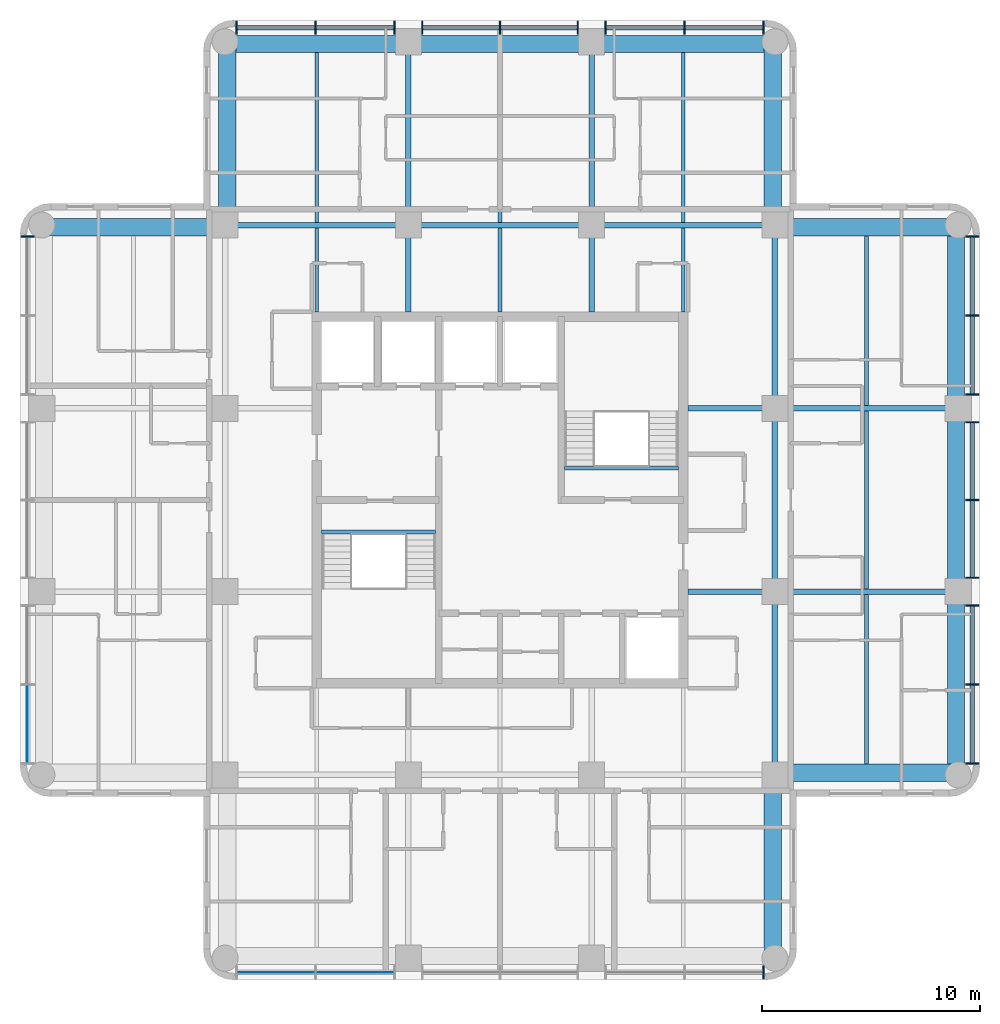
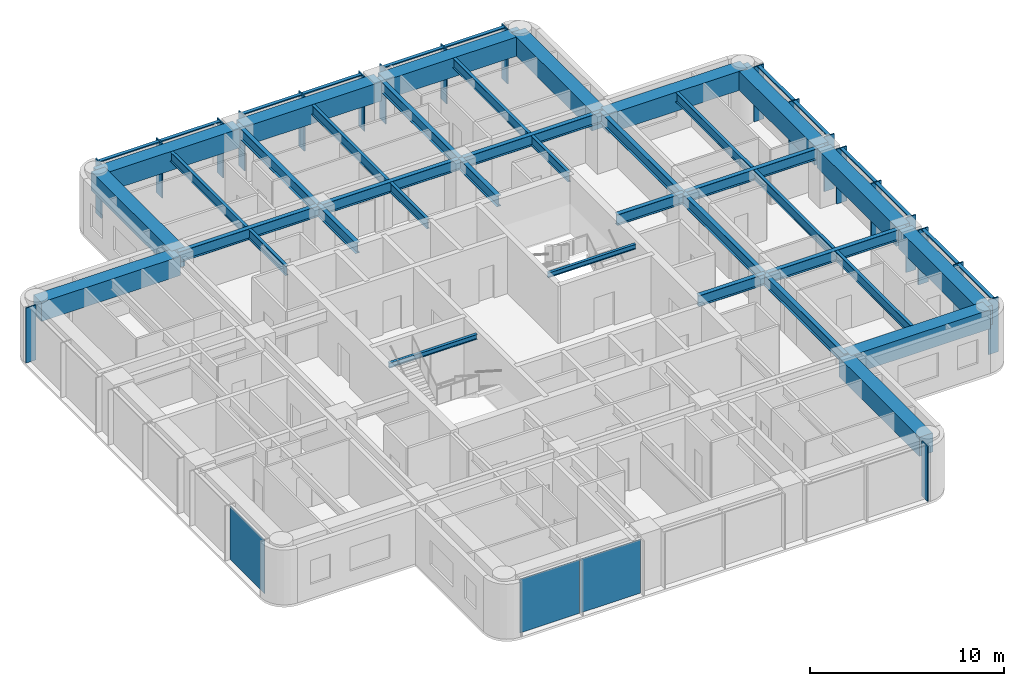
# One storey, part 2 of 10: 37 beams, 32 members, 3 plates, 4 elements without a shape of their own.
"""IFC4 building model written with IfcOpenShell, lengths in metres."""

from ifc_helpers import new_model, si_unit, direction, frame, origin, origin_2d, place, context, subcontext, project, spatial, rectangle, i_section, extrude, material, layer, layer_set, material_profile, profile_set, type_object, element, aggregate, save


model = new_model("IFC4")

# Units and contexts
model_context = context("Model", 3, precision=1e-05, world=origin(), true_north=direction((0.0, 1.0)))
body_context = subcontext(model_context, "Body", "Model", "MODEL_VIEW")
ifc_project = project(units=[si_unit("LENGTHUNIT", "METRE"), si_unit("AREAUNIT", "SQUARE_METRE"), si_unit("VOLUMEUNIT", "CUBIC_METRE"), si_unit("PLANEANGLEUNIT", "RADIAN"), si_unit("MASSUNIT", "GRAM", prefix="KILO")], contexts=[model_context])

# Site, building, storey
site_placement = place(None, origin())
site = spatial("IfcSite", under=ifc_project, at=site_placement, CompositionType="ELEMENT")
building_placement = place(site_placement, origin())
building = spatial("IfcBuilding", under=site, at=building_placement, Name="Torre Alcanfor", CompositionType="ELEMENT")
storey_placement = place(building_placement, frame((0.0, 0.0, 282.89990234375)))
storey = spatial("IfcBuildingStorey", under=building, at=storey_placement, Name="L74", CompositionType="ELEMENT", Elevation=282.89990234375)

# Curtain wall, member
ifc_material_1 = material(Name="Aluminium and glass", Category="aluminium")
curtain_wall_type = type_object("IfcCurtainWallType", Name="CW-A unitised apartment glazing with vertical FIN", PredefinedType="NOTDEFINED", material=ifc_material_1)
curtain_wall_1_placement = place(storey_placement, origin())
curtain_wall_1 = element("IfcCurtainWall", 1, at=curtain_wall_1_placement, inside=storey, type_object=curtain_wall_type, Name="Curtain wall CW-A L74 2", PredefinedType="NOTDEFINED")
ifc_material_2 = material(Name="Bronze anodised aluminium", Category="aluminium")
ifc_material_profile_1 = material_profile(ifc_material_2, rectangle(XDim=0.60009765625, YDim=0.06494140625, at=origin_2d()), Name="CW-A mullion 65x600")
ifc_profile_set_1 = profile_set([ifc_material_profile_1], Name="Bronze anodised aluminium")
member_type_1 = type_object("IfcMemberType", Name="CW-A mullion with vertical FIN 65x600", PredefinedType="MULLION", material=ifc_profile_set_1)
member_1_placement = place(storey_placement, frame((7.75, 41.47412109375, 0.0), z_axis=(0.0, 0.0, 1.0), x_axis=(1.0, 0.0, 0.0)))
member_1 = element("IfcMember", 2, at=member_1_placement, type_object=member_type_1, Name="CW-A mullion 1.1", PredefinedType="MULLION", context=body_context, shape_type="SweptSolid", body=[
    extrude(rectangle(XDim=0.60009765625, YDim=0.06494140625, at=origin_2d()), origin(), (0.0, 0.0, 1.0), 3.4501953125),
])

curtain_wall_2_placement = place(storey_placement, origin())
curtain_wall_2 = element("IfcCurtainWall", 3, at=curtain_wall_2_placement, inside=storey, type_object=curtain_wall_type, Name="Curtain wall CW-A L74 5", PredefinedType="NOTDEFINED")
member_2_placement = place(storey_placement, frame((41.47412109375, 7.75, 0.0), z_axis=(0.0, 0.0, 1.0), x_axis=(0.0, 1.0, 0.0)))
member_2 = element("IfcMember", 4, at=member_2_placement, type_object=member_type_1, Name="CW-A mullion 3.3", PredefinedType="MULLION", context=body_context, shape_type="SweptSolid", body=[
    extrude(rectangle(XDim=0.60009765625, YDim=0.06494140625, at=origin_2d()), origin(), (0.0, 0.0, 1.0), 3.4501953125),
])

# Curtain wall, members
curtain_wall_3_placement = place(storey_placement, origin())
curtain_wall_3 = element("IfcCurtainWall", 5, at=curtain_wall_3_placement, inside=storey, type_object=curtain_wall_type, Name="Curtain wall CW-A L74 8", PredefinedType="NOTDEFINED")
member_3_placement = place(storey_placement, frame((51.050048828125, 17.325927734375, 0.0), z_axis=(0.0, 0.0, 1.0), x_axis=(-1.0, 0.0, 0.0)))
member_3 = element("IfcMember", 6, at=member_3_placement, type_object=member_type_1, Name="CW-A mullion 1.1", PredefinedType="MULLION", context=body_context, shape_type="SweptSolid", body=[
    extrude(rectangle(XDim=0.60009765625, YDim=0.06494140625, at=origin_2d()), origin(), (0.0, 0.0, 1.0), 3.4501953125),
])
member_4_placement = place(storey_placement, frame((51.050048828125, 20.9443359375, 0.0), z_axis=(0.0, 0.0, 1.0), x_axis=(-1.0, 0.0, 0.0)))
member_4 = element("IfcMember", 7, at=member_4_placement, type_object=member_type_1, Name="CW-A mullion 1.2", PredefinedType="MULLION", context=body_context, shape_type="SweptSolid", body=[
    extrude(rectangle(XDim=0.60009765625, YDim=0.06494140625, at=origin_2d()), origin(), (0.0, 0.0, 1.0), 3.4501953125),
])
member_5_placement = place(storey_placement, frame((51.050048828125, 24.5625, 0.0), z_axis=(0.0, 0.0, 1.0), x_axis=(-1.0, 0.0, 0.0)))
member_5 = element("IfcMember", 8, at=member_5_placement, type_object=member_type_1, Name="CW-A mullion 1.3", PredefinedType="MULLION", context=body_context, shape_type="SweptSolid", body=[
    extrude(rectangle(XDim=0.60009765625, YDim=0.06494140625, at=origin_2d()), origin(), (0.0, 0.0, 1.0), 3.4501953125),
])
member_6_placement = place(storey_placement, frame((51.050048828125, 25.83740234375, 0.0), z_axis=(0.0, 0.0, 1.0), x_axis=(-1.0, 0.0, 0.0)))
member_6 = element("IfcMember", 9, at=member_6_placement, type_object=member_type_1, Name="CW-A mullion 2.1", PredefinedType="MULLION", context=body_context, shape_type="SweptSolid", body=[
    extrude(rectangle(XDim=0.60009765625, YDim=0.06494140625, at=origin_2d()), origin(), (0.0, 0.0, 1.0), 3.4501953125),
])
member_7_placement = place(storey_placement, frame((51.050048828125, 29.39990234375, 0.0), z_axis=(0.0, 0.0, 1.0), x_axis=(-1.0, 0.0, 0.0)))
member_7 = element("IfcMember", 10, at=member_7_placement, type_object=member_type_1, Name="CW-A mullion 2.2", PredefinedType="MULLION", context=body_context, shape_type="SweptSolid", body=[
    extrude(rectangle(XDim=0.60009765625, YDim=0.06494140625, at=origin_2d()), origin(), (0.0, 0.0, 1.0), 3.4501953125),
])
member_8_placement = place(storey_placement, frame((51.050048828125, 32.96240234375, 0.0), z_axis=(0.0, 0.0, 1.0), x_axis=(-1.0, 0.0, 0.0)))
member_8 = element("IfcMember", 11, at=member_8_placement, type_object=member_type_1, Name="CW-A mullion 2.3", PredefinedType="MULLION", context=body_context, shape_type="SweptSolid", body=[
    extrude(rectangle(XDim=0.60009765625, YDim=0.06494140625, at=origin_2d()), origin(), (0.0, 0.0, 1.0), 3.4501953125),
])
member_9_placement = place(storey_placement, frame((51.050048828125, 34.237548828125, 0.0), z_axis=(0.0, 0.0, 1.0), x_axis=(-1.0, 0.0, 0.0)))
member_9 = element("IfcMember", 12, at=member_9_placement, type_object=member_type_1, Name="CW-A mullion 3.1", PredefinedType="MULLION", context=body_context, shape_type="SweptSolid", body=[
    extrude(rectangle(XDim=0.60009765625, YDim=0.06494140625, at=origin_2d()), origin(), (0.0, 0.0, 1.0), 3.4501953125),
])
member_10_placement = place(storey_placement, frame((51.050048828125, 37.855712890625, 0.0), z_axis=(0.0, 0.0, 1.0), x_axis=(-1.0, 0.0, 0.0)))
member_10 = element("IfcMember", 13, at=member_10_placement, type_object=member_type_1, Name="CW-A mullion 3.2", PredefinedType="MULLION", context=body_context, shape_type="SweptSolid", body=[
    extrude(rectangle(XDim=0.60009765625, YDim=0.06494140625, at=origin_2d()), origin(), (0.0, 0.0, 1.0), 3.4501953125),
])
member_11_placement = place(storey_placement, frame((51.050048828125, 41.47412109375, 0.0), z_axis=(0.0, 0.0, 1.0), x_axis=(-1.0, 0.0, 0.0)))
member_11 = element("IfcMember", 14, at=member_11_placement, type_object=member_type_1, Name="CW-A mullion 3.3", PredefinedType="MULLION", context=body_context, shape_type="SweptSolid", body=[
    extrude(rectangle(XDim=0.60009765625, YDim=0.06494140625, at=origin_2d()), origin(), (0.0, 0.0, 1.0), 3.4501953125),
])

curtain_wall_4_placement = place(storey_placement, origin())
curtain_wall_4 = element("IfcCurtainWall", 15, at=curtain_wall_4_placement, inside=storey, type_object=curtain_wall_type, Name="Curtain wall CW-A L74 11", PredefinedType="NOTDEFINED")
member_12_placement = place(storey_placement, frame((41.47412109375, 51.050048828125, 0.0), z_axis=(0.0, 0.0, 1.0), x_axis=(0.0, -1.0, 0.0)))
member_12 = element("IfcMember", 16, at=member_12_placement, type_object=member_type_1, Name="CW-A mullion 1.1", PredefinedType="MULLION", context=body_context, shape_type="SweptSolid", body=[
    extrude(rectangle(XDim=0.60009765625, YDim=0.06494140625, at=origin_2d()), origin(), (0.0, 0.0, 1.0), 3.4501953125),
])
member_13_placement = place(storey_placement, frame((37.855712890625, 51.050048828125, 0.0), z_axis=(0.0, 0.0, 1.0), x_axis=(0.0, -1.0, 0.0)))
member_13 = element("IfcMember", 17, at=member_13_placement, type_object=member_type_1, Name="CW-A mullion 1.2", PredefinedType="MULLION", context=body_context, shape_type="SweptSolid", body=[
    extrude(rectangle(XDim=0.60009765625, YDim=0.06494140625, at=origin_2d()), origin(), (0.0, 0.0, 1.0), 3.4501953125),
])
member_14_placement = place(storey_placement, frame((34.237548828125, 51.050048828125, 0.0), z_axis=(0.0, 0.0, 1.0), x_axis=(0.0, -1.0, 0.0)))
member_14 = element("IfcMember", 18, at=member_14_placement, type_object=member_type_1, Name="CW-A mullion 1.3", PredefinedType="MULLION", context=body_context, shape_type="SweptSolid", body=[
    extrude(rectangle(XDim=0.60009765625, YDim=0.06494140625, at=origin_2d()), origin(), (0.0, 0.0, 1.0), 3.4501953125),
])
member_15_placement = place(storey_placement, frame((32.96240234375, 51.050048828125, 0.0), z_axis=(0.0, 0.0, 1.0), x_axis=(0.0, -1.0, 0.0)))
member_15 = element("IfcMember", 19, at=member_15_placement, type_object=member_type_1, Name="CW-A mullion 2.1", PredefinedType="MULLION", context=body_context, shape_type="SweptSolid", body=[
    extrude(rectangle(XDim=0.60009765625, YDim=0.06494140625, at=origin_2d()), origin(), (0.0, 0.0, 1.0), 3.4501953125),
])
member_16_placement = place(storey_placement, frame((29.39990234375, 51.050048828125, 0.0), z_axis=(0.0, 0.0, 1.0), x_axis=(0.0, -1.0, 0.0)))
member_16 = element("IfcMember", 20, at=member_16_placement, type_object=member_type_1, Name="CW-A mullion 2.2", PredefinedType="MULLION", context=body_context, shape_type="SweptSolid", body=[
    extrude(rectangle(XDim=0.60009765625, YDim=0.06494140625, at=origin_2d()), origin(), (0.0, 0.0, 1.0), 3.4501953125),
])
member_17_placement = place(storey_placement, frame((25.83740234375, 51.050048828125, 0.0), z_axis=(0.0, 0.0, 1.0), x_axis=(0.0, -1.0, 0.0)))
member_17 = element("IfcMember", 21, at=member_17_placement, type_object=member_type_1, Name="CW-A mullion 2.3", PredefinedType="MULLION", context=body_context, shape_type="SweptSolid", body=[
    extrude(rectangle(XDim=0.60009765625, YDim=0.06494140625, at=origin_2d()), origin(), (0.0, 0.0, 1.0), 3.4501953125),
])
member_18_placement = place(storey_placement, frame((24.5625, 51.050048828125, 0.0), z_axis=(0.0, 0.0, 1.0), x_axis=(0.0, -1.0, 0.0)))
member_18 = element("IfcMember", 22, at=member_18_placement, type_object=member_type_1, Name="CW-A mullion 3.1", PredefinedType="MULLION", context=body_context, shape_type="SweptSolid", body=[
    extrude(rectangle(XDim=0.60009765625, YDim=0.06494140625, at=origin_2d()), origin(), (0.0, 0.0, 1.0), 3.4501953125),
])
member_19_placement = place(storey_placement, frame((20.9443359375, 51.050048828125, 0.0), z_axis=(0.0, 0.0, 1.0), x_axis=(0.0, -1.0, 0.0)))
member_19 = element("IfcMember", 23, at=member_19_placement, type_object=member_type_1, Name="CW-A mullion 3.2", PredefinedType="MULLION", context=body_context, shape_type="SweptSolid", body=[
    extrude(rectangle(XDim=0.60009765625, YDim=0.06494140625, at=origin_2d()), origin(), (0.0, 0.0, 1.0), 3.4501953125),
])
member_20_placement = place(storey_placement, frame((17.325927734375, 51.050048828125, 0.0), z_axis=(0.0, 0.0, 1.0), x_axis=(0.0, -1.0, 0.0)))
member_20 = element("IfcMember", 24, at=member_20_placement, type_object=member_type_1, Name="CW-A mullion 3.3", PredefinedType="MULLION", context=body_context, shape_type="SweptSolid", body=[
    extrude(rectangle(XDim=0.60009765625, YDim=0.06494140625, at=origin_2d()), origin(), (0.0, 0.0, 1.0), 3.4501953125),
])

# Member
ifc_material_3 = material(Name="Extruded aluminium", Category="aluminium")
ifc_material_profile_2 = material_profile(ifc_material_3, rectangle(XDim=0.199951171875, YDim=0.06494140625, at=origin_2d()), Name="CW-A transom 200x65")
ifc_profile_set_2 = profile_set([ifc_material_profile_2], Name="Extruded aluminium")
member_type_2 = type_object("IfcMemberType", Name="CW-A transom 65x200", PredefinedType="USERDEFINED", material=ifc_profile_set_2)
member_21_placement = place(storey_placement, frame((51.050048828125, 17.3583984375, 3.41748046875), z_axis=(0.0, 1.0, 0.0), x_axis=(-1.0, 0.0, 0.0)))
member_21 = element("IfcMember", 25, at=member_21_placement, type_object=member_type_2, Name="CW-A transom 1.1.2", ObjectType="TRANSOM", PredefinedType="USERDEFINED", context=body_context, shape_type="SweptSolid", body=[
    extrude(rectangle(XDim=0.199951171875, YDim=0.06494140625, at=origin_2d()), origin(), (0.0, 0.0, 1.0), 3.553466796875),
])

member_22_placement = place(storey_placement, frame((51.050048828125, 20.976806640625, 3.41748046875), z_axis=(0.0, 1.0, 0.0), x_axis=(-1.0, 0.0, 0.0)))
member_22 = element("IfcMember", 26, at=member_22_placement, type_object=member_type_2, Name="CW-A transom 1.2.2", ObjectType="TRANSOM", PredefinedType="USERDEFINED", context=body_context, shape_type="SweptSolid", body=[
    extrude(rectangle(XDim=0.199951171875, YDim=0.06494140625, at=origin_2d()), origin(), (0.0, 0.0, 1.0), 3.55322265625),
])

member_23_placement = place(storey_placement, frame((51.050048828125, 25.8701171875, 3.41748046875), z_axis=(0.0, 1.0, 0.0), x_axis=(-1.0, 0.0, 0.0)))
member_23 = element("IfcMember", 27, at=member_23_placement, type_object=member_type_2, Name="CW-A transom 2.1.2", ObjectType="TRANSOM", PredefinedType="USERDEFINED", context=body_context, shape_type="SweptSolid", body=[
    extrude(rectangle(XDim=0.199951171875, YDim=0.06494140625, at=origin_2d()), origin(), (0.0, 0.0, 1.0), 3.497314453125),
])

member_24_placement = place(storey_placement, frame((51.050048828125, 29.4326171875, 3.41748046875), z_axis=(0.0, 1.0, 0.0), x_axis=(-1.0, 0.0, 0.0)))
member_24 = element("IfcMember", 28, at=member_24_placement, type_object=member_type_2, Name="CW-A transom 2.2.2", ObjectType="TRANSOM", PredefinedType="USERDEFINED", context=body_context, shape_type="SweptSolid", body=[
    extrude(rectangle(XDim=0.199951171875, YDim=0.06494140625, at=origin_2d()), origin(), (0.0, 0.0, 1.0), 3.497314453125),
])

member_25_placement = place(storey_placement, frame((51.050048828125, 34.27001953125, 3.41748046875), z_axis=(0.0, 1.0, 0.0), x_axis=(-1.0, 0.0, 0.0)))
member_25 = element("IfcMember", 29, at=member_25_placement, type_object=member_type_2, Name="CW-A transom 3.1.2", ObjectType="TRANSOM", PredefinedType="USERDEFINED", context=body_context, shape_type="SweptSolid", body=[
    extrude(rectangle(XDim=0.199951171875, YDim=0.06494140625, at=origin_2d()), origin(), (0.0, 0.0, 1.0), 3.55322265625),
])

member_26_placement = place(storey_placement, frame((51.050048828125, 37.88818359375, 3.41748046875), z_axis=(0.0, 1.0, 0.0), x_axis=(-1.0, 0.0, 0.0)))
member_26 = element("IfcMember", 30, at=member_26_placement, type_object=member_type_2, Name="CW-A transom 3.2.2", ObjectType="TRANSOM", PredefinedType="USERDEFINED", context=body_context, shape_type="SweptSolid", body=[
    extrude(rectangle(XDim=0.199951171875, YDim=0.06494140625, at=origin_2d()), origin(), (0.0, 0.0, 1.0), 3.55322265625),
])

aggregate(curtain_wall_3, [member_3, member_4, member_5, member_21, member_22, member_6, member_7, member_8, member_23, member_24, member_9, member_10, member_11, member_25, member_26])

member_27_placement = place(storey_placement, frame((41.44140625, 51.050048828125, 3.41748046875), z_axis=(-1.0, 0.0, 0.0), x_axis=(0.0, -1.0, 0.0)))
member_27 = element("IfcMember", 31, at=member_27_placement, type_object=member_type_2, Name="CW-A transom 1.1.2", ObjectType="TRANSOM", PredefinedType="USERDEFINED", context=body_context, shape_type="SweptSolid", body=[
    extrude(rectangle(XDim=0.199951171875, YDim=0.06494140625, at=origin_2d()), origin(), (0.0, 0.0, 1.0), 3.55322265625),
])

member_28_placement = place(storey_placement, frame((37.8232421875, 51.050048828125, 3.41748046875), z_axis=(-1.0, 0.0, 0.0), x_axis=(0.0, -1.0, 0.0)))
member_28 = element("IfcMember", 32, at=member_28_placement, type_object=member_type_2, Name="CW-A transom 1.2.2", ObjectType="TRANSOM", PredefinedType="USERDEFINED", context=body_context, shape_type="SweptSolid", body=[
    extrude(rectangle(XDim=0.199951171875, YDim=0.06494140625, at=origin_2d()), origin(), (0.0, 0.0, 1.0), 3.55322265625),
])

member_29_placement = place(storey_placement, frame((32.929931640625, 51.050048828125, 3.41748046875), z_axis=(-1.0, 0.0, 0.0), x_axis=(0.0, -1.0, 0.0)))
member_29 = element("IfcMember", 33, at=member_29_placement, type_object=member_type_2, Name="CW-A transom 2.1.2", ObjectType="TRANSOM", PredefinedType="USERDEFINED", context=body_context, shape_type="SweptSolid", body=[
    extrude(rectangle(XDim=0.199951171875, YDim=0.06494140625, at=origin_2d()), origin(), (0.0, 0.0, 1.0), 3.497314453125),
])

member_30_placement = place(storey_placement, frame((29.367431640625, 51.050048828125, 3.41748046875), z_axis=(-1.0, 0.0, 0.0), x_axis=(0.0, -1.0, 0.0)))
member_30 = element("IfcMember", 34, at=member_30_placement, type_object=member_type_2, Name="CW-A transom 2.2.2", ObjectType="TRANSOM", PredefinedType="USERDEFINED", context=body_context, shape_type="SweptSolid", body=[
    extrude(rectangle(XDim=0.199951171875, YDim=0.06494140625, at=origin_2d()), origin(), (0.0, 0.0, 1.0), 3.497314453125),
])

member_31_placement = place(storey_placement, frame((24.530029296875, 51.050048828125, 3.41748046875), z_axis=(-1.0, 0.0, 0.0), x_axis=(0.0, -1.0, 0.0)))
member_31 = element("IfcMember", 35, at=member_31_placement, type_object=member_type_2, Name="CW-A transom 3.1.2", ObjectType="TRANSOM", PredefinedType="USERDEFINED", context=body_context, shape_type="SweptSolid", body=[
    extrude(rectangle(XDim=0.199951171875, YDim=0.06494140625, at=origin_2d()), origin(), (0.0, 0.0, 1.0), 3.55322265625),
])

member_32_placement = place(storey_placement, frame((20.911865234375, 51.050048828125, 3.41748046875), z_axis=(-1.0, 0.0, 0.0), x_axis=(0.0, -1.0, 0.0)))
member_32 = element("IfcMember", 36, at=member_32_placement, type_object=member_type_2, Name="CW-A transom 3.2.2", ObjectType="TRANSOM", PredefinedType="USERDEFINED", context=body_context, shape_type="SweptSolid", body=[
    extrude(rectangle(XDim=0.199951171875, YDim=0.06494140625, at=origin_2d()), origin(), (0.0, 0.0, 1.0), 3.553466796875),
])

aggregate(curtain_wall_4, [member_12, member_13, member_14, member_27, member_28, member_15, member_16, member_17, member_29, member_30, member_18, member_19, member_20, member_31, member_32])

# Beams
ifc_material_4 = material(Name="Steel ASTM A992 Grade 50", Category="steel")
ifc_material_profile_3 = material_profile(ifc_material_4, i_section(OverallWidth=0.25390625, OverallDepth=0.683349609375, WebThickness=0.012451171875, FlangeThickness=0.01904296875, at=origin_2d()), Name="W27x94")
ifc_profile_set_3 = profile_set([ifc_material_profile_3], Name="Steel ASTM A992 Grade 50")
beam_type_1 = type_object("IfcBeamType", Name="Girder W27x94", PredefinedType="BEAM", material=ifc_profile_set_3)
for number, where, z_axis, x_axis, name in (
    (37, (42.0, 25.199951171875, 3.1083984375), (1.0, 0.0, 0.0), (0.0, 1.0, 0.0), "Beam 6F-7F under L75"),
    (38, (42.0, 33.60009765625, 3.1083984375), (1.0, 0.0, 0.0), (0.0, 1.0, 0.0), "Beam 6G-7G under L75"),
    (39, (16.800048828125, 42.0, 3.1083984375), (1.0, 0.0, 0.0), (0.0, 1.0, 0.0), "Beam 3H-4H under L75"),
):
    element("IfcBeam", number, at=place(storey_placement, frame(where, z_axis=z_axis, x_axis=x_axis)), inside=storey, type_object=beam_type_1, Name=name, PredefinedType="BEAM", context=body_context, shape_type="SweptSolid", body=[
        extrude(i_section(OverallWidth=0.25390625, OverallDepth=0.683349609375, WebThickness=0.012451171875, FlangeThickness=0.01904296875, at=origin_2d()), origin(), (0.0, 0.0, 1.0), 8.39990234375),
    ])
beam_1_placement = place(storey_placement, frame((25.199951171875, 42.0, 3.1083984375), z_axis=(1.0, 0.0, 0.0), x_axis=(0.0, 1.0, 0.0)))
element("IfcBeam", 40, at=beam_1_placement, inside=storey, type_object=beam_type_1, Name="Beam 4H-5H under L75", PredefinedType="BEAM", context=body_context, shape_type="SweptSolid", body=[
    extrude(i_section(OverallWidth=0.25390625, OverallDepth=0.683349609375, WebThickness=0.012451171875, FlangeThickness=0.01904296875, at=origin_2d()), origin(), (0.0, 0.0, 1.0), 8.400146484375),
])
for number, where, z_axis, x_axis, name in (
    (41, (33.60009765625, 42.0, 3.1083984375), (1.0, 0.0, 0.0), (0.0, 1.0, 0.0), "Beam 5H-6H under L75"),
    (42, (25.199951171875, 42.0, 3.1083984375), (0.0, 1.0, 0.0), (-1.0, 0.0, 0.0), "Beam 4H-4J under L75"),
    (43, (33.60009765625, 42.0, 3.1083984375), (0.0, 1.0, 0.0), (-1.0, 0.0, 0.0), "Beam 5H-5J under L75"),
    (44, (42.0, 16.800048828125, 3.1083984375), (0.0, 1.0, 0.0), (-1.0, 0.0, 0.0), "Beam 6E-6F under L75"),
):
    element("IfcBeam", number, at=place(storey_placement, frame(where, z_axis=z_axis, x_axis=x_axis)), inside=storey, type_object=beam_type_1, Name=name, PredefinedType="BEAM", context=body_context, shape_type="SweptSolid", body=[
        extrude(i_section(OverallWidth=0.25390625, OverallDepth=0.683349609375, WebThickness=0.012451171875, FlangeThickness=0.01904296875, at=origin_2d()), origin(), (0.0, 0.0, 1.0), 8.39990234375),
    ])
beam_2_placement = place(storey_placement, frame((42.0, 25.199951171875, 3.1083984375), z_axis=(0.0, 1.0, 0.0), x_axis=(-1.0, 0.0, 0.0)))
element("IfcBeam", 45, at=beam_2_placement, inside=storey, type_object=beam_type_1, Name="Beam 6F-6G under L75", PredefinedType="BEAM", context=body_context, shape_type="SweptSolid", body=[
    extrude(i_section(OverallWidth=0.25390625, OverallDepth=0.683349609375, WebThickness=0.012451171875, FlangeThickness=0.01904296875, at=origin_2d()), origin(), (0.0, 0.0, 1.0), 8.400146484375),
])
beam_3_placement = place(storey_placement, frame((42.0, 33.60009765625, 3.1083984375), z_axis=(0.0, 1.0, 0.0), x_axis=(-1.0, 0.0, 0.0)))
element("IfcBeam", 46, at=beam_3_placement, inside=storey, type_object=beam_type_1, Name="Beam 6G-6H under L75", PredefinedType="BEAM", context=body_context, shape_type="SweptSolid", body=[
    extrude(i_section(OverallWidth=0.25390625, OverallDepth=0.683349609375, WebThickness=0.012451171875, FlangeThickness=0.01904296875, at=origin_2d()), origin(), (0.0, 0.0, 1.0), 8.39990234375),
])
ifc_material_5 = material(Name="Steel ASTM A992 Grade 50", Category="steel")
ifc_material_profile_4 = material_profile(ifc_material_5, i_section(OverallWidth=0.25390625, OverallDepth=0.683349609375, WebThickness=0.012451171875, FlangeThickness=0.01904296875, at=origin_2d()), Name="W27x94")
ifc_profile_set_4 = profile_set([ifc_material_profile_4], Name="Steel ASTM A992 Grade 50")
beam_type_2 = type_object("IfcBeamType", Name="Girder, part bay W27x94", PredefinedType="BEAM", material=ifc_profile_set_4)
for number, where, z_axis, x_axis, name in (
    (47, (25.199951171875, 42.0, 3.1083984375), (0.0, -1.0, 0.0), (1.0, 0.0, 0.0), "Beam 4H-438_025 under L75"),
    (48, (33.60009765625, 42.0, 3.1083984375), (0.0, -1.0, 0.0), (1.0, 0.0, 0.0), "Beam 5H-538_025 under L75"),
    (49, (42.0, 25.199951171875, 3.1083984375), (-1.0, 0.0, 0.0), (0.0, -1.0, 0.0), "Beam 6F-38_025F under L75"),
    (50, (42.0, 33.60009765625, 3.1083984375), (-1.0, 0.0, 0.0), (0.0, -1.0, 0.0), "Beam 6G-38_025G under L75"),
):
    element("IfcBeam", number, at=place(storey_placement, frame(where, z_axis=z_axis, x_axis=x_axis)), inside=storey, type_object=beam_type_2, Name=name, PredefinedType="BEAM", context=body_context, shape_type="SweptSolid", body=[
        extrude(i_section(OverallWidth=0.25390625, OverallDepth=0.683349609375, WebThickness=0.012451171875, FlangeThickness=0.01904296875, at=origin_2d()), origin(), (0.0, 0.0, 1.0), 3.97509765625),
    ])
ifc_material_6 = material(Name="Concrete f'c 70 MPa", Category="concrete")
ifc_material_profile_5 = material_profile(ifc_material_6, rectangle(XDim=0.800048828125, YDim=1.199951171875, at=origin_2d()), Name="800x1200")
ifc_profile_set_5 = profile_set([ifc_material_profile_5], Name="Concrete f'c 70 MPa")
beam_type_3 = type_object("IfcBeamType", Name="RC perimeter beam 800x1200", PredefinedType="BEAM", material=ifc_profile_set_5)
beam_4_placement = place(storey_placement, frame((42.126953125, 16.89990234375, 2.85009765625), z_axis=(1.0, 0.0, 0.0), x_axis=(0.0, 1.0, 0.0)))
element("IfcBeam", 51, at=beam_4_placement, inside=storey, type_object=beam_type_3, Name="Beam 6E-7E under L75", PredefinedType="BEAM", context=body_context, shape_type="SweptSolid", body=[
    extrude(rectangle(XDim=0.800048828125, YDim=1.199951171875, at=origin_2d()), origin(), (0.0, 0.0, 1.0), 8.27294921875),
])
beam_5_placement = place(storey_placement, frame((8.39990234375, 41.89990234375, 2.85009765625), z_axis=(1.0, 0.0, 0.0), x_axis=(0.0, 1.0, 0.0)))
element("IfcBeam", 52, at=beam_5_placement, inside=storey, type_object=beam_type_3, Name="Beam 2H-3H under L75", PredefinedType="BEAM", context=body_context, shape_type="SweptSolid", body=[
    extrude(rectangle(XDim=0.800048828125, YDim=1.199951171875, at=origin_2d()), origin(), (0.0, 0.0, 1.0), 8.273193359375),
])
for number, where, z_axis, x_axis, name in (
    (53, (42.126953125, 41.89990234375, 2.85009765625), (1.0, 0.0, 0.0), (0.0, 1.0, 0.0), "Beam 6H-7H under L75"),
    (54, (16.800048828125, 50.300048828125, 2.85009765625), (1.0, 0.0, 0.0), (0.0, 1.0, 0.0), "Beam 3J-4J under L75"),
):
    element("IfcBeam", number, at=place(storey_placement, frame(where, z_axis=z_axis, x_axis=x_axis)), inside=storey, type_object=beam_type_3, Name=name, PredefinedType="BEAM", context=body_context, shape_type="SweptSolid", body=[
        extrude(rectangle(XDim=0.800048828125, YDim=1.199951171875, at=origin_2d()), origin(), (0.0, 0.0, 1.0), 8.27294921875),
    ])
beam_6_placement = place(storey_placement, frame((25.326904296875, 50.300048828125, 2.85009765625), z_axis=(1.0, 0.0, 0.0), x_axis=(0.0, 1.0, 0.0)))
element("IfcBeam", 55, at=beam_6_placement, inside=storey, type_object=beam_type_3, Name="Beam 4J-5J under L75", PredefinedType="BEAM", context=body_context, shape_type="SweptSolid", body=[
    extrude(rectangle(XDim=0.800048828125, YDim=1.199951171875, at=origin_2d()), origin(), (0.0, 0.0, 1.0), 8.14599609375),
])
for number, where, z_axis, x_axis, name in (
    (56, (33.72705078125, 50.300048828125, 2.85009765625), (1.0, 0.0, 0.0), (0.0, 1.0, 0.0), "Beam 5J-6J under L75"),
    (57, (16.89990234375, 42.126953125, 2.85009765625), (0.0, 1.0, 0.0), (-1.0, 0.0, 0.0), "Beam 3H-3J under L75"),
):
    element("IfcBeam", number, at=place(storey_placement, frame(where, z_axis=z_axis, x_axis=x_axis)), inside=storey, type_object=beam_type_3, Name=name, PredefinedType="BEAM", context=body_context, shape_type="SweptSolid", body=[
        extrude(rectangle(XDim=0.800048828125, YDim=1.199951171875, at=origin_2d()), origin(), (0.0, 0.0, 1.0), 8.27294921875),
    ])
beam_7_placement = place(storey_placement, frame((41.89990234375, 8.39990234375, 2.85009765625), z_axis=(0.0, 1.0, 0.0), x_axis=(-1.0, 0.0, 0.0)))
element("IfcBeam", 58, at=beam_7_placement, inside=storey, type_object=beam_type_3, Name="Beam 6D-6E under L75", PredefinedType="BEAM", context=body_context, shape_type="SweptSolid", body=[
    extrude(rectangle(XDim=0.800048828125, YDim=1.199951171875, at=origin_2d()), origin(), (0.0, 0.0, 1.0), 8.273193359375),
])
for number, where, z_axis, x_axis, name in (
    (59, (41.89990234375, 42.126953125, 2.85009765625), (0.0, 1.0, 0.0), (-1.0, 0.0, 0.0), "Beam 6H-6J under L75"),
    (60, (50.300048828125, 16.800048828125, 2.85009765625), (0.0, 1.0, 0.0), (-1.0, 0.0, 0.0), "Beam 7E-7F under L75"),
):
    element("IfcBeam", number, at=place(storey_placement, frame(where, z_axis=z_axis, x_axis=x_axis)), inside=storey, type_object=beam_type_3, Name=name, PredefinedType="BEAM", context=body_context, shape_type="SweptSolid", body=[
        extrude(rectangle(XDim=0.800048828125, YDim=1.199951171875, at=origin_2d()), origin(), (0.0, 0.0, 1.0), 8.27294921875),
    ])
beam_8_placement = place(storey_placement, frame((50.300048828125, 25.326904296875, 2.85009765625), z_axis=(0.0, 1.0, 0.0), x_axis=(-1.0, 0.0, 0.0)))
element("IfcBeam", 61, at=beam_8_placement, inside=storey, type_object=beam_type_3, Name="Beam 7F-7G under L75", PredefinedType="BEAM", context=body_context, shape_type="SweptSolid", body=[
    extrude(rectangle(XDim=0.800048828125, YDim=1.199951171875, at=origin_2d()), origin(), (0.0, 0.0, 1.0), 8.14599609375),
])
beam_9_placement = place(storey_placement, frame((50.300048828125, 33.72705078125, 2.85009765625), z_axis=(0.0, 1.0, 0.0), x_axis=(-1.0, 0.0, 0.0)))
element("IfcBeam", 62, at=beam_9_placement, inside=storey, type_object=beam_type_3, Name="Beam 7G-7H under L75", PredefinedType="BEAM", context=body_context, shape_type="SweptSolid", body=[
    extrude(rectangle(XDim=0.800048828125, YDim=1.199951171875, at=origin_2d()), origin(), (0.0, 0.0, 1.0), 8.27294921875),
])
ifc_material_7 = material(Name="Steel ASTM A992 Grade 50", Category="steel")
ifc_material_profile_6 = material_profile(ifc_material_7, i_section(OverallWidth=0.1787109375, OverallDepth=0.60205078125, WebThickness=0.010986328125, FlangeThickness=0.014892578125, at=origin_2d()), Name="W24x62")
ifc_profile_set_6 = profile_set([ifc_material_profile_6], Name="Steel ASTM A992 Grade 50")
beam_type_4 = type_object("IfcBeamType", Name="Secondary beam W24x62", PredefinedType="BEAM", material=ifc_profile_set_6)
for number, where, z_axis, x_axis, name in (
    (63, (21.0, 42.126953125, 3.149169921875), (0.0, 1.0, 0.0), (-1.0, 0.0, 0.0), "Beam 21H-21J under L75"),
    (64, (29.39990234375, 42.126953125, 3.149169921875), (0.0, 1.0, 0.0), (-1.0, 0.0, 0.0), "Beam 29_4H-29_4J under L75"),
    (65, (37.800048828125, 42.126953125, 3.149169921875), (0.0, 1.0, 0.0), (-1.0, 0.0, 0.0), "Beam 37_8H-37_8J under L75"),
    (66, (46.199951171875, 17.300048828125, 3.149169921875), (0.0, 1.0, 0.0), (-1.0, 0.0, 0.0), "Beam 46_2E-46_2F under L75"),
):
    element("IfcBeam", number, at=place(storey_placement, frame(where, z_axis=z_axis, x_axis=x_axis)), inside=storey, type_object=beam_type_4, Name=name, PredefinedType="BEAM", context=body_context, shape_type="SweptSolid", body=[
        extrude(i_section(OverallWidth=0.1787109375, OverallDepth=0.60205078125, WebThickness=0.010986328125, FlangeThickness=0.014892578125, at=origin_2d()), origin(), (0.0, 0.0, 1.0), 7.77294921875),
    ])
beam_10_placement = place(storey_placement, frame((46.199951171875, 25.326904296875, 3.149169921875), z_axis=(0.0, 1.0, 0.0), x_axis=(-1.0, 0.0, 0.0)))
element("IfcBeam", 67, at=beam_10_placement, inside=storey, type_object=beam_type_4, Name="Beam 46_2F-46_2G under L75", PredefinedType="BEAM", context=body_context, shape_type="SweptSolid", body=[
    extrude(i_section(OverallWidth=0.1787109375, OverallDepth=0.60205078125, WebThickness=0.010986328125, FlangeThickness=0.014892578125, at=origin_2d()), origin(), (0.0, 0.0, 1.0), 8.14599609375),
])
beam_11_placement = place(storey_placement, frame((46.199951171875, 33.72705078125, 3.149169921875), z_axis=(0.0, 1.0, 0.0), x_axis=(-1.0, 0.0, 0.0)))
element("IfcBeam", 68, at=beam_11_placement, inside=storey, type_object=beam_type_4, Name="Beam 46_2G-46_2H under L75", PredefinedType="BEAM", context=body_context, shape_type="SweptSolid", body=[
    extrude(i_section(OverallWidth=0.1787109375, OverallDepth=0.60205078125, WebThickness=0.010986328125, FlangeThickness=0.014892578125, at=origin_2d()), origin(), (0.0, 0.0, 1.0), 7.77294921875),
])
ifc_material_8 = material(Name="Steel ASTM A992 Grade 50", Category="steel")
ifc_material_profile_7 = material_profile(ifc_material_8, i_section(OverallWidth=0.1787109375, OverallDepth=0.60205078125, WebThickness=0.010986328125, FlangeThickness=0.014892578125, at=origin_2d()), Name="W24x62")
ifc_profile_set_7 = profile_set([ifc_material_profile_7], Name="Steel ASTM A992 Grade 50")
beam_type_5 = type_object("IfcBeamType", Name="Secondary beam, part bay W24x62", PredefinedType="BEAM", material=ifc_profile_set_7)
for number, where, z_axis, x_axis, name in (
    (69, (21.0, 38.02490234375, 3.149169921875), (0.0, 1.0, 0.0), (-1.0, 0.0, 0.0), "Beam 2138_025-21H under L75"),
    (70, (29.39990234375, 38.02490234375, 3.149169921875), (0.0, 1.0, 0.0), (-1.0, 0.0, 0.0), "Beam 29_438_025-29_4H under L75"),
    (71, (37.800048828125, 38.02490234375, 3.149169921875), (0.0, 1.0, 0.0), (-1.0, 0.0, 0.0), "Beam 37_838_025-37_8H under L75"),
):
    element("IfcBeam", number, at=place(storey_placement, frame(where, z_axis=z_axis, x_axis=x_axis)), inside=storey, type_object=beam_type_5, Name=name, PredefinedType="BEAM", context=body_context, shape_type="SweptSolid", body=[
        extrude(i_section(OverallWidth=0.1787109375, OverallDepth=0.60205078125, WebThickness=0.010986328125, FlangeThickness=0.014892578125, at=origin_2d()), origin(), (0.0, 0.0, 1.0), 3.84814453125),
    ])
ifc_material_9 = material(Name="Steel ASTM A992 Grade 50", Category="steel")
ifc_material_profile_8 = material_profile(ifc_material_9, i_section(OverallWidth=0.164794921875, OverallDepth=0.309814453125, WebThickness=0.005859375, FlangeThickness=0.009765625, at=origin_2d()), Name="W12x26")
ifc_profile_set_8 = profile_set([ifc_material_profile_8], Name="Steel ASTM A992 Grade 50")
beam_type_6 = type_object("IfcBeamType", Name="Stair landing beam W12x26", PredefinedType="BEAM", material=ifc_profile_set_8)
for number, where, z_axis, x_axis, name in (
    (72, (21.22509765625, 27.9375, 3.2451171875), (1.0, 0.0, 0.0), (0.0, 1.0, 0.0), "Landing trimmer S1 L75"),
    (73, (32.35009765625, 30.862548828125, 3.2451171875), (1.0, 0.0, 0.0), (0.0, 1.0, 0.0), "Landing trimmer S2 L75"),
):
    element("IfcBeam", number, at=place(storey_placement, frame(where, z_axis=z_axis, x_axis=x_axis)), inside=storey, type_object=beam_type_6, Name=name, PredefinedType="BEAM", context=body_context, shape_type="SweptSolid", body=[
        extrude(i_section(OverallWidth=0.164794921875, OverallDepth=0.309814453125, WebThickness=0.005859375, FlangeThickness=0.009765625, at=origin_2d()), origin(), (0.0, 0.0, 1.0), 5.224853515625),
    ])

# Plate
ifc_material_10 = material(Name="Glass", Category="glass")
ifc_layer = layer(ifc_material_10, 0.028076171875)
ifc_layer_set = layer_set([ifc_layer], Name="CW-A clear double glazed unit")
plate_type = type_object("IfcPlateType", Name="CW-A clear double glazed unit", PredefinedType="CURTAIN_PANEL", material=ifc_layer_set)
plate_1_placement = place(storey_placement, frame((7.75, 19.135009765625, 0.0), z_axis=(0.0, 0.0, 1.0), x_axis=(0.0, -1.0, 0.0)))
plate_1 = element("IfcPlate", 74, at=plate_1_placement, type_object=plate_type, Name="CW-A panel 3.2.1", PredefinedType="CURTAIN_PANEL", context=body_context, shape_type="SweptSolid", body=[
    extrude(rectangle(XDim=3.55322265625, YDim=0.028076171875, at=origin_2d()), origin(), (0.0, 0.0, 1.0), 3.385009765625),
])

aggregate(curtain_wall_1, [member_1, plate_1])

plate_2_placement = place(storey_placement, frame((19.135009765625, 7.75, 0.0), z_axis=(0.0, 0.0, 1.0), x_axis=(1.0, 0.0, 0.0)))
plate_2 = element("IfcPlate", 75, at=plate_2_placement, type_object=plate_type, Name="CW-A panel 1.1.1", PredefinedType="CURTAIN_PANEL", context=body_context, shape_type="SweptSolid", body=[
    extrude(rectangle(XDim=3.55322265625, YDim=0.028076171875, at=origin_2d()), origin(), (0.0, 0.0, 1.0), 3.385009765625),
])

plate_3_placement = place(storey_placement, frame((22.75341796875, 7.75, 0.0), z_axis=(0.0, 0.0, 1.0), x_axis=(1.0, 0.0, 0.0)))
plate_3 = element("IfcPlate", 76, at=plate_3_placement, type_object=plate_type, Name="CW-A panel 1.2.1", PredefinedType="CURTAIN_PANEL", context=body_context, shape_type="SweptSolid", body=[
    extrude(rectangle(XDim=3.55322265625, YDim=0.028076171875, at=origin_2d()), origin(), (0.0, 0.0, 1.0), 3.385009765625),
])

aggregate(curtain_wall_2, [plate_2, plate_3, member_2])

save(model, "model.ifc")
